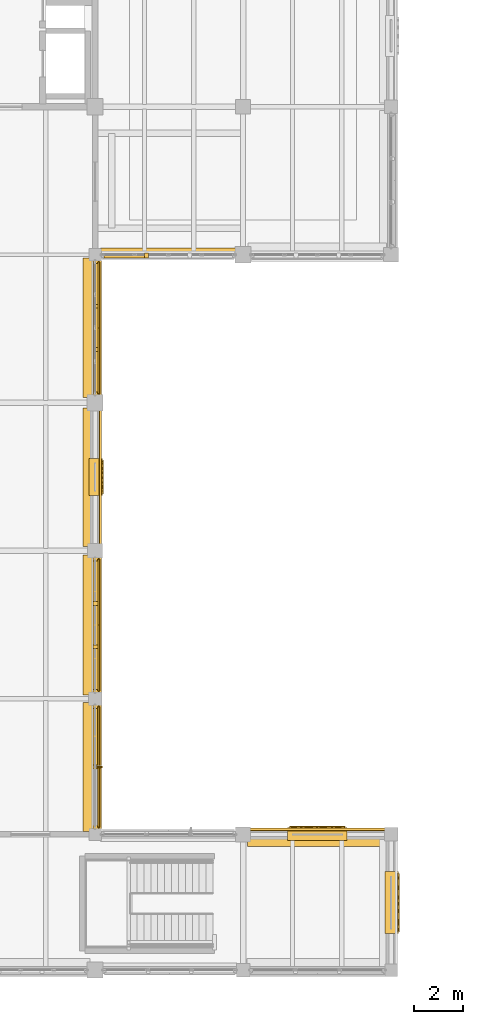
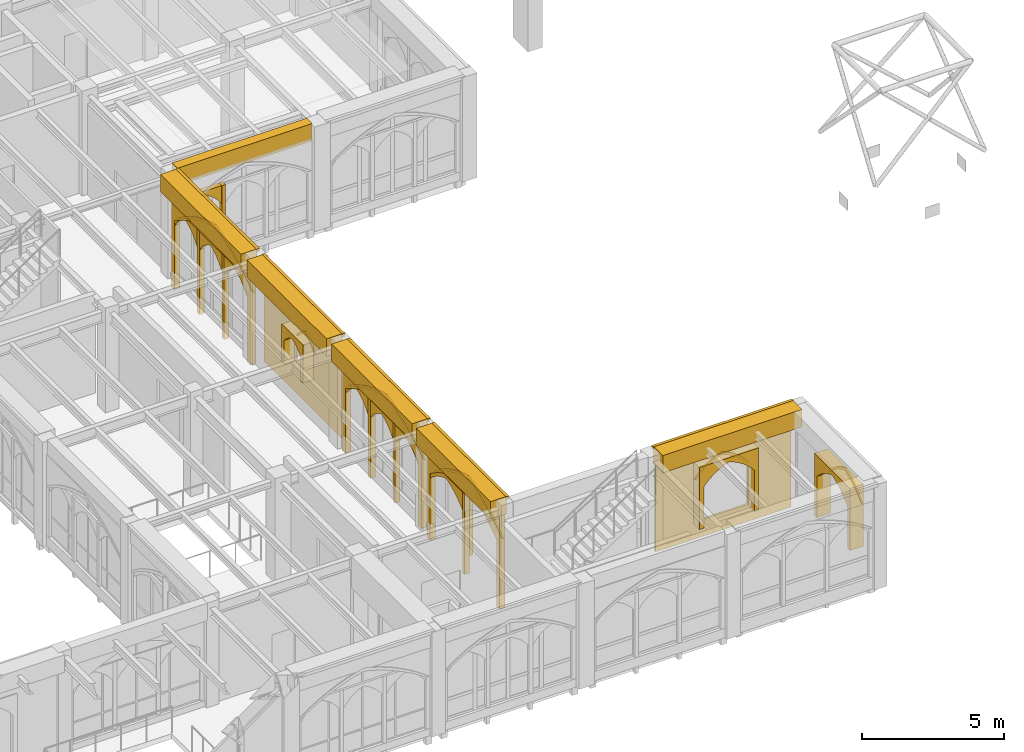
# One storey, part 108 of 127: 39 coverings, 1 shading device.
"""IFC4 building model written with IfcOpenShell, lengths in metres."""

from ifc_helpers import new_model, si_unit, direction, frame, origin, origin_2d, place, context, subcontext, project, spatial, polyline, rectangle, outline, extrude, material, type_object, element, save


model = new_model("IFC4")

# Units and contexts
model_context = context("Model", 3, precision=1e-05, world=origin(), true_north=direction((0.0, 1.0)))
body_context = subcontext(model_context, "Body", "Model", "MODEL_VIEW")
ifc_project = project(units=[si_unit("LENGTHUNIT", "METRE"), si_unit("AREAUNIT", "SQUARE_METRE"), si_unit("VOLUMEUNIT", "CUBIC_METRE"), si_unit("PLANEANGLEUNIT", "RADIAN"), si_unit("MASSUNIT", "GRAM", prefix="KILO")], contexts=[model_context])

# Site, building, storey
site_placement = place(None, origin())
site = spatial("IfcSite", under=ifc_project, at=site_placement, CompositionType="ELEMENT")
building_placement = place(site_placement, origin())
building = spatial("IfcBuilding", under=site, at=building_placement, Name="Cumevento Cable Car Station", CompositionType="ELEMENT")
storey_placement = place(building_placement, frame((0.0, 0.0, 4.5)))
storey = spatial("IfcBuildingStorey", under=building, at=storey_placement, Name="L02", CompositionType="ELEMENT", Elevation=4.5)

# Shading device
ifc_material_1 = material(Name="Anodised Bronze Aluminium AW-6063-T6", Category="aluminium")
shading_device_type = type_object("IfcShadingDeviceType", Name="Bronze Lancet Brise-Soleil BS-01", PredefinedType="JALOUSIE", material=ifc_material_1)
shading_device_placement = place(storey_placement, frame((70.179931640625, 12.237548828125, 0.41015625), z_axis=(0.0, 0.0, 1.0), x_axis=(0.0, -1.0, 0.0)))
element("IfcShadingDevice", 1, at=shading_device_placement, inside=storey, type_object=shading_device_type, Name="Bronze Lancet Solar Fin #24", PredefinedType="JALOUSIE", context=body_context, shape_type="SweptSolid", body=[
    extrude(rectangle(XDim=0.054931640625, YDim=0.239990234375, at=origin_2d()), origin(), (0.0, 0.0, 1.0), 3.423095703125),
])

# Coverings
ifc_material_2 = material(Name="Gnaisse Facoidal Stone Ashlar 85 MPa", Category="masonry")
covering_type = type_object("IfcCoveringType", Name="Gnaisse Ashlar Cladding CV-CL01", PredefinedType="CLADDING", material=ifc_material_2)
covering_1_placement = place(storey_placement, frame((79.012451171875, 9.35009765625, 3.796875), z_axis=(0.0, 0.0, 1.0), x_axis=(1.0, 0.0, 0.0)))
element("IfcCovering", 2, at=covering_1_placement, inside=storey, type_object=covering_type, Name="Gothic Stone Spandrel Stringcourse sc:0310", PredefinedType="CLADDING", context=body_context, shape_type="SweptSolid", body=[
    extrude(rectangle(XDim=5.6650390625, YDim=0.659912109375, at=origin_2d()), origin(), (0.0, 0.0, 1.0), 0.7470703125),
])
covering_2_placement = place(storey_placement, frame((79.012451171875, 9.70751953125, 4.4140625), z_axis=(0.0, 0.0, 1.0), x_axis=(1.0, 0.0, 0.0)))
element("IfcCovering", 3, at=covering_2_placement, inside=storey, type_object=covering_type, Name="Gothic Cornice Dripstone Lip sc:0310", PredefinedType="CLADDING", context=body_context, shape_type="SweptSolid", body=[
    extrude(rectangle(XDim=5.705078125, YDim=0.114990234375, at=origin_2d()), origin(), (0.0, 0.0, 1.0), 0.1298828125),
])
covering_3_placement = place(storey_placement, frame((69.85009765625, 12.237548828125, 3.77294921875), z_axis=(0.0, 0.0, 1.0), x_axis=(0.0, -1.0, 0.0)))
element("IfcCovering", 4, at=covering_3_placement, inside=storey, type_object=covering_type, Name="Gothic Stone Spandrel Stringcourse sc:0324", PredefinedType="CLADDING", context=body_context, shape_type="SweptSolid", body=[
    extrude(rectangle(XDim=5.215087890625, YDim=0.659912109375, at=origin_2d()), origin(), (0.0, 0.0, 1.0), 0.7470703125),
])
covering_4_placement = place(storey_placement, frame((70.20751953125, 12.237548828125, 4.39013671875), z_axis=(0.0, 0.0, 1.0), x_axis=(0.0, -1.0, 0.0)))
element("IfcCovering", 5, at=covering_4_placement, inside=storey, type_object=covering_type, Name="Gothic Cornice Dripstone Lip sc:0324", PredefinedType="CLADDING", context=body_context, shape_type="SweptSolid", body=[
    extrude(rectangle(XDim=5.2548828125, YDim=0.114990234375, at=origin_2d()), origin(), (0.0, 0.0, 1.0), 0.1298828125),
])
covering_5_placement = place(storey_placement, frame((69.85009765625, 17.987548828125, 3.77294921875), z_axis=(0.0, 0.0, 1.0), x_axis=(0.0, -1.0, 0.0)))
element("IfcCovering", 6, at=covering_5_placement, inside=storey, type_object=covering_type, Name="Gothic Stone Spandrel Stringcourse sc:0325", PredefinedType="CLADDING", context=body_context, shape_type="SweptSolid", body=[
    extrude(rectangle(XDim=5.6650390625, YDim=0.659912109375, at=origin_2d()), origin(), (0.0, 0.0, 1.0), 0.7470703125),
])
covering_6_placement = place(storey_placement, frame((70.20751953125, 17.987548828125, 4.39013671875), z_axis=(0.0, 0.0, 1.0), x_axis=(0.0, -1.0, 0.0)))
element("IfcCovering", 7, at=covering_6_placement, inside=storey, type_object=covering_type, Name="Gothic Cornice Dripstone Lip sc:0325", PredefinedType="CLADDING", context=body_context, shape_type="SweptSolid", body=[
    extrude(rectangle(XDim=5.705078125, YDim=0.114990234375, at=origin_2d()), origin(), (0.0, 0.0, 1.0), 0.1298828125),
])
covering_7_placement = place(storey_placement, frame((69.85009765625, 23.987548828125, 3.77294921875), z_axis=(0.0, 0.0, 1.0), x_axis=(0.0, -1.0, 0.0)))
element("IfcCovering", 8, at=covering_7_placement, inside=storey, type_object=covering_type, Name="Gothic Stone Spandrel Stringcourse sc:0326", PredefinedType="CLADDING", context=body_context, shape_type="SweptSolid", body=[
    extrude(rectangle(XDim=5.614990234375, YDim=0.659912109375, at=origin_2d()), origin(), (0.0, 0.0, 1.0), 0.7470703125),
])
covering_8_placement = place(storey_placement, frame((70.20751953125, 23.987548828125, 4.39013671875), z_axis=(0.0, 0.0, 1.0), x_axis=(0.0, -1.0, 0.0)))
element("IfcCovering", 9, at=covering_8_placement, inside=storey, type_object=covering_type, Name="Gothic Cornice Dripstone Lip sc:0326", PredefinedType="CLADDING", context=body_context, shape_type="SweptSolid", body=[
    extrude(rectangle(XDim=5.655029296875, YDim=0.114990234375, at=origin_2d()), origin(), (0.0, 0.0, 1.0), 0.1298828125),
])
covering_9_placement = place(storey_placement, frame((69.85009765625, 30.03759765625, 3.760986328125), z_axis=(0.0, 0.0, 1.0), x_axis=(0.0, -1.0, 0.0)))
element("IfcCovering", 10, at=covering_9_placement, inside=storey, type_object=covering_type, Name="Gothic Stone Spandrel Stringcourse sc:0327", PredefinedType="CLADDING", context=body_context, shape_type="SweptSolid", body=[
    extrude(rectangle(XDim=5.6650390625, YDim=0.659912109375, at=origin_2d()), origin(), (0.0, 0.0, 1.0), 0.7470703125),
])
covering_10_placement = place(storey_placement, frame((70.20751953125, 30.03759765625, 4.378173828125), z_axis=(0.0, 0.0, 1.0), x_axis=(0.0, -1.0, 0.0)))
element("IfcCovering", 11, at=covering_10_placement, inside=storey, type_object=covering_type, Name="Gothic Cornice Dripstone Lip sc:0327", PredefinedType="CLADDING", context=body_context, shape_type="SweptSolid", body=[
    extrude(rectangle(XDim=5.705078125, YDim=0.114990234375, at=origin_2d()), origin(), (0.0, 0.0, 1.0), 0.1298828125),
])
covering_11_placement = place(storey_placement, frame((72.96240234375, 33.090087890625, 3.760986328125), z_axis=(0.0, 0.0, 1.0), x_axis=(-1.0, 0.0, 0.0)))
element("IfcCovering", 12, at=covering_11_placement, inside=storey, type_object=covering_type, Name="Gothic Stone Spandrel Stringcourse sc:0330", PredefinedType="CLADDING", context=body_context, shape_type="SweptSolid", body=[
    extrude(rectangle(XDim=5.485107421875, YDim=0.3798828125, at=origin_2d()), origin(), (0.0, 0.0, 1.0), 0.7470703125),
])
placement_1 = place(storey_placement, frame((70.0, 14.72509765625, -0.27001953125), z_axis=(0.0, 0.0, 1.0), x_axis=(0.0, -1.0, 0.0)))
element("IfcCovering", 13, at=placement_1, inside=storey, type_object=covering_type, Name="Gothic Ogival Pointed-Arch Stone Spandrel cw_ogival:0037", PredefinedType="CLADDING", context=body_context, shape_type="SweptSolid", body=[
    extrude(outline(polyline([(-0.080078125, 0.0), (-0.080078125, 4.18310546875), (5.054931640625, 4.18310546875), (5.054931640625, 0.0), (4.81494140625, 0.0), (4.81494140625, 2.87060546875), (4.5517578125, 3.060546875), (4.279296875, 3.2373046875), (3.997802734375, 3.39892578125), (3.70849609375, 3.54638671875), (3.412109375, 3.678955078125), (3.109375, 3.796142578125), (2.80078125, 3.897705078125), (2.487548828125, 3.98291015625), (2.17431640625, 3.897705078125), (1.86572265625, 3.796142578125), (1.56298828125, 3.678955078125), (1.2666015625, 3.54638671875), (0.977294921875, 3.39892578125), (0.69580078125, 3.2373046875), (0.42333984375, 3.060546875), (0.159912109375, 2.87060546875), (0.159912109375, 0.0), (-0.080078125, 0.0)])), frame((0.0, 0.139892578125, 0.0), z_axis=(0.0, -1.0, 0.0), x_axis=(1.0, 0.0, 0.0)), (0.0, 0.0, 1.0), 0.219970703125),
])
covering_13_placement = place(storey_placement, frame((70.0, 14.72509765625, 2.6005859375), z_axis=(0.0, 0.0, 1.0), x_axis=(0.0, -1.0, 0.0)))
element("IfcCovering", 14, at=covering_13_placement, inside=storey, type_object=covering_type, Name="Gothic Pointed Archivolt Hood Moulding cw_ogival:0037", PredefinedType="CLADDING", context=body_context, shape_type="SweptSolid", body=[
    extrude(outline(polyline([(0.159912109375, 0.0), (0.42333984375, 0.18994140625), (0.69580078125, 0.366455078125), (0.977294921875, 0.5283203125), (1.2666015625, 0.67578125), (1.56298828125, 0.808349609375), (1.86572265625, 0.925537109375), (2.17431640625, 1.02685546875), (2.487548828125, 1.1123046875), (2.80078125, 1.02685546875), (3.109375, 0.925537109375), (3.412109375, 0.808349609375), (3.70849609375, 0.67578125), (3.997802734375, 0.5283203125), (4.279296875, 0.366455078125), (4.5517578125, 0.18994140625), (4.81494140625, 0.0), (4.925048828125, 0.0), (4.6533203125, 0.212890625), (4.37060546875, 0.410400390625), (4.077392578125, 0.592529296875), (3.774658203125, 0.75830078125), (3.46337890625, 0.9072265625), (3.14453125, 1.0390625), (2.81884765625, 1.1533203125), (2.487548828125, 1.249755859375), (2.15625, 1.1533203125), (1.83056640625, 1.0390625), (1.51171875, 0.9072265625), (1.200439453125, 0.75830078125), (0.897705078125, 0.592529296875), (0.6044921875, 0.410400390625), (0.32177734375, 0.212890625), (0.050048828125, 0.0), (0.159912109375, 0.0)])), frame((0.0, 0.181884765625, 0.0), z_axis=(0.0, -1.0, 0.0), x_axis=(1.0, 0.0, 0.0)), (0.0, 0.0, 1.0), 0.06689453125),
])
element("IfcCovering", 15, at=placement_1, inside=storey, type_object=covering_type, Name="Gothic Bifora Stone Colonnette cw_ogival:0037 #1", PredefinedType="CLADDING", context=body_context, shape_type="SweptSolid", body=[
    extrude(outline(polyline([(2.41259765625, -0.02001953125), (2.5625, -0.02001953125), (2.5625, 3.44921875), (2.41259765625, 3.44921875), (2.41259765625, -0.02001953125)])), frame((0.0, 0.1279296875, 0.0), z_axis=(0.0, -1.0, 0.0), x_axis=(1.0, 0.0, 0.0)), (0.0, 0.0, 1.0), 0.205078125),
])
covering_15_placement = place(storey_placement, frame((70.0, 14.594970703125, 2.420654296875), z_axis=(0.0, 0.0, 1.0), x_axis=(0.0, -1.0, 0.0)))
element("IfcCovering", 16, at=covering_15_placement, inside=storey, type_object=covering_type, Name="Gothic Ogival Pointed-Arch Stone Spandrel cw_ogival:0037:sub:0", PredefinedType="CLADDING", context=body_context, shape_type="SweptSolid", body=[
    extrude(outline(polyline([(-0.02001953125, 0.0), (-0.02001953125, 0.75830078125), (2.33251953125, 0.75830078125), (2.33251953125, 0.0), (2.2724609375, 0.0), (2.109619140625, 0.142333984375), (1.93603515625, 0.271484375), (1.752685546875, 0.38623046875), (1.560791015625, 0.486083984375), (1.361572265625, 0.5703125), (1.15625, 0.638427734375), (0.950927734375, 0.5703125), (0.751708984375, 0.486083984375), (0.559814453125, 0.38623046875), (0.37646484375, 0.271484375), (0.202880859375, 0.142333984375), (0.0400390625, 0.0), (-0.02001953125, 0.0)])), frame((0.0, 0.1240234375, 0.0), z_axis=(0.0, -1.0, 0.0), x_axis=(1.0, 0.0, 0.0)), (0.0, 0.0, 1.0), 0.199951171875),
])
placement_2 = place(storey_placement, frame((70.0, 20.699951171875, -0.159912109375), z_axis=(0.0, 0.0, 1.0), x_axis=(0.0, -1.0, 0.0)))
element("IfcCovering", 17, at=placement_2, inside=storey, type_object=covering_type, Name="Gothic Ogival Pointed-Arch Stone Spandrel cw_ogival:0039", PredefinedType="CLADDING", context=body_context, shape_type="SweptSolid", body=[
    extrude(outline(polyline([(-0.080078125, 0.0), (-0.080078125, 4.072998046875), (5.5048828125, 4.072998046875), (5.5048828125, 0.0), (5.264892578125, 0.0), (5.264892578125, 2.80029296875), (4.9697265625, 2.984619140625), (4.66650390625, 3.155029296875), (4.355712890625, 3.3115234375), (4.0380859375, 3.453857421875), (3.714111328125, 3.581298828125), (3.384765625, 3.693603515625), (3.05078125, 3.791015625), (2.71240234375, 3.873046875), (2.374267578125, 3.791015625), (2.040283203125, 3.693603515625), (1.7109375, 3.581298828125), (1.386962890625, 3.453857421875), (1.0693359375, 3.3115234375), (0.758544921875, 3.155029296875), (0.455322265625, 2.984619140625), (0.159912109375, 2.80029296875), (0.159912109375, 0.0), (-0.080078125, 0.0)])), frame((0.0, 0.139892578125, 0.0), z_axis=(0.0, -1.0, 0.0), x_axis=(1.0, 0.0, 0.0)), (0.0, 0.0, 1.0), 0.219970703125),
])
covering_17_placement = place(storey_placement, frame((70.0, 20.699951171875, 2.640380859375), z_axis=(0.0, 0.0, 1.0), x_axis=(0.0, -1.0, 0.0)))
element("IfcCovering", 18, at=covering_17_placement, inside=storey, type_object=covering_type, Name="Gothic Pointed Archivolt Hood Moulding cw_ogival:0039", PredefinedType="CLADDING", context=body_context, shape_type="SweptSolid", body=[
    extrude(outline(polyline([(0.159912109375, 0.0), (0.455322265625, 0.184326171875), (0.758544921875, 0.354736328125), (1.0693359375, 0.51123046875), (1.386962890625, 0.653564453125), (1.7109375, 0.781005859375), (2.040283203125, 0.893310546875), (2.374267578125, 0.99072265625), (2.71240234375, 1.07275390625), (3.05078125, 0.99072265625), (3.384765625, 0.893310546875), (3.714111328125, 0.781005859375), (4.0380859375, 0.653564453125), (4.355712890625, 0.51123046875), (4.66650390625, 0.354736328125), (4.9697265625, 0.184326171875), (5.264892578125, 0.0), (5.375, 0.0), (5.071044921875, 0.207275390625), (4.75732421875, 0.3994140625), (4.4345703125, 0.57568359375), (4.103271484375, 0.736083984375), (3.764892578125, 0.880126953125), (3.419677734375, 1.00732421875), (3.068603515625, 1.117431640625), (2.71240234375, 1.210205078125), (2.3564453125, 1.117431640625), (2.00537109375, 1.00732421875), (1.66015625, 0.880126953125), (1.32177734375, 0.736083984375), (0.990478515625, 0.57568359375), (0.667724609375, 0.3994140625), (0.35400390625, 0.207275390625), (0.050048828125, 0.0), (0.159912109375, 0.0)])), frame((0.0, 0.181884765625, 0.0), z_axis=(0.0, -1.0, 0.0), x_axis=(1.0, 0.0, 0.0)), (0.0, 0.0, 1.0), 0.06689453125),
])
element("IfcCovering", 19, at=placement_2, inside=storey, type_object=covering_type, Name="Gothic Bifora Stone Colonnette cw_ogival:0039 #1", PredefinedType="CLADDING", context=body_context, shape_type="SweptSolid", body=[
    extrude(outline(polyline([(1.76171875, -0.02001953125), (1.91162109375, -0.02001953125), (1.91162109375, 3.358154296875), (1.76171875, 3.358154296875), (1.76171875, -0.02001953125)])), frame((0.0, 0.1279296875, 0.0), z_axis=(0.0, -1.0, 0.0), x_axis=(1.0, 0.0, 0.0)), (0.0, 0.0, 1.0), 0.205078125),
])
element("IfcCovering", 20, at=placement_2, inside=storey, type_object=covering_type, Name="Gothic Bifora Stone Colonnette cw_ogival:0039 #2", PredefinedType="CLADDING", context=body_context, shape_type="SweptSolid", body=[
    extrude(outline(polyline([(3.513427734375, -0.02001953125), (3.663330078125, -0.02001953125), (3.663330078125, 3.358154296875), (3.513427734375, 3.358154296875), (3.513427734375, -0.02001953125)])), frame((0.0, 0.1279296875, 0.0), z_axis=(0.0, -1.0, 0.0), x_axis=(1.0, 0.0, 0.0)), (0.0, 0.0, 1.0), 0.205078125),
])
for number, where, z_axis, x_axis, name in (
    (21, (70.0, 20.570068359375, 2.460205078125), (0.0, 0.0, 1.0), (0.0, -1.0, 0.0), "Gothic Ogival Pointed-Arch Stone Spandrel cw_ogival:0039:sub:0"),
    (22, (70.0, 18.818359375, 2.460205078125), (0.0, 0.0, 1.0), (0.0, -1.0, 0.0), "Gothic Ogival Pointed-Arch Stone Spandrel cw_ogival:0039:sub:1"),
    (23, (70.0, 17.066650390625, 2.460205078125), (0.0, 0.0, 1.0), (0.0, -1.0, 0.0), "Gothic Ogival Pointed-Arch Stone Spandrel cw_ogival:0039:sub:2"),
):
    element("IfcCovering", number, at=place(storey_placement, frame(where, z_axis=z_axis, x_axis=x_axis)), inside=storey, type_object=covering_type, Name=name, PredefinedType="CLADDING", context=body_context, shape_type="SweptSolid", body=[
        extrude(outline(polyline([(-0.02001953125, 0.0), (-0.02001953125, 0.73779296875), (1.681640625, 0.73779296875), (1.681640625, 0.0), (1.62158203125, 0.0), (1.518310546875, 0.134765625), (1.402099609375, 0.258544921875), (1.273681640625, 0.36962890625), (1.134765625, 0.46728515625), (0.986572265625, 0.55029296875), (0.830810546875, 0.617919921875), (0.675048828125, 0.55029296875), (0.52685546875, 0.46728515625), (0.387939453125, 0.36962890625), (0.259521484375, 0.258544921875), (0.143310546875, 0.134765625), (0.0400390625, 0.0), (-0.02001953125, 0.0)])), frame((0.0, 0.1240234375, 0.0), z_axis=(0.0, -1.0, 0.0), x_axis=(1.0, 0.0, 0.0)), (0.0, 0.0, 1.0), 0.199951171875),
    ])
placement_3 = place(storey_placement, frame((70.0, 32.75, -0.419921875), z_axis=(0.0, 0.0, 1.0), x_axis=(0.0, -1.0, 0.0)))
element("IfcCovering", 24, at=placement_3, inside=storey, type_object=covering_type, Name="Gothic Ogival Pointed-Arch Stone Spandrel cw_ogival:0042", PredefinedType="CLADDING", context=body_context, shape_type="SweptSolid", body=[
    extrude(outline(polyline([(-0.080078125, 0.0), (-0.080078125, 4.321044921875), (5.5048828125, 4.321044921875), (5.5048828125, 0.0), (5.264892578125, 0.0), (5.264892578125, 2.958984375), (4.9736328125, 3.157958984375), (4.6728515625, 3.34228515625), (4.363525390625, 3.51171875), (4.046142578125, 3.665771484375), (3.721435546875, 3.803955078125), (3.390380859375, 3.92626953125), (3.053955078125, 4.031982421875), (2.71240234375, 4.12109375), (2.37109375, 4.031982421875), (2.03466796875, 3.92626953125), (1.70361328125, 3.803955078125), (1.37890625, 3.665771484375), (1.0615234375, 3.51171875), (0.752197265625, 3.34228515625), (0.451416015625, 3.157958984375), (0.159912109375, 2.958984375), (0.159912109375, 0.0), (-0.080078125, 0.0)])), frame((0.0, 0.139892578125, 0.0), z_axis=(0.0, -1.0, 0.0), x_axis=(1.0, 0.0, 0.0)), (0.0, 0.0, 1.0), 0.219970703125),
])
covering_21_placement = place(storey_placement, frame((70.0, 32.75, 2.5390625), z_axis=(0.0, 0.0, 1.0), x_axis=(0.0, -1.0, 0.0)))
element("IfcCovering", 25, at=covering_21_placement, inside=storey, type_object=covering_type, Name="Gothic Pointed Archivolt Hood Moulding cw_ogival:0042", PredefinedType="CLADDING", context=body_context, shape_type="SweptSolid", body=[
    extrude(outline(polyline([(0.159912109375, 0.0), (0.451416015625, 0.198974609375), (0.752197265625, 0.38330078125), (1.0615234375, 0.552734375), (1.37890625, 0.706787109375), (1.70361328125, 0.844970703125), (2.03466796875, 0.96728515625), (2.37109375, 1.072998046875), (2.71240234375, 1.162109375), (3.053955078125, 1.072998046875), (3.390380859375, 0.96728515625), (3.721435546875, 0.844970703125), (4.046142578125, 0.706787109375), (4.363525390625, 0.552734375), (4.6728515625, 0.38330078125), (4.9736328125, 0.198974609375), (5.264892578125, 0.0), (5.375, 0.0), (5.0751953125, 0.221923828125), (4.76416015625, 0.427734375), (4.442626953125, 0.616943359375), (4.11181640625, 0.789306640625), (3.7724609375, 0.944091796875), (3.425537109375, 1.0810546875), (3.072021484375, 1.199462890625), (2.71240234375, 1.299560546875), (2.35302734375, 1.199462890625), (1.99951171875, 1.0810546875), (1.652587890625, 0.944091796875), (1.313232421875, 0.789306640625), (0.982421875, 0.616943359375), (0.660888671875, 0.427734375), (0.349853515625, 0.221923828125), (0.050048828125, 0.0), (0.159912109375, 0.0)])), frame((0.0, 0.181884765625, 0.0), z_axis=(0.0, -1.0, 0.0), x_axis=(1.0, 0.0, 0.0)), (0.0, 0.0, 1.0), 0.06689453125),
])
element("IfcCovering", 26, at=placement_3, inside=storey, type_object=covering_type, Name="Gothic Bifora Stone Colonnette cw_ogival:0042 #1", PredefinedType="CLADDING", context=body_context, shape_type="SweptSolid", body=[
    extrude(outline(polyline([(1.76171875, -0.02001953125), (1.91162109375, -0.02001953125), (1.91162109375, 3.563232421875), (1.76171875, 3.563232421875), (1.76171875, -0.02001953125)])), frame((0.0, 0.1279296875, 0.0), z_axis=(0.0, -1.0, 0.0), x_axis=(1.0, 0.0, 0.0)), (0.0, 0.0, 1.0), 0.205078125),
])
element("IfcCovering", 27, at=placement_3, inside=storey, type_object=covering_type, Name="Gothic Bifora Stone Colonnette cw_ogival:0042 #2", PredefinedType="CLADDING", context=body_context, shape_type="SweptSolid", body=[
    extrude(outline(polyline([(3.513427734375, -0.02001953125), (3.663330078125, -0.02001953125), (3.663330078125, 3.563232421875), (3.513427734375, 3.563232421875), (3.513427734375, -0.02001953125)])), frame((0.0, 0.1279296875, 0.0), z_axis=(0.0, -1.0, 0.0), x_axis=(1.0, 0.0, 0.0)), (0.0, 0.0, 1.0), 0.205078125),
])
for number, where, z_axis, x_axis, name in (
    (28, (70.0, 32.6201171875, 2.35888671875), (0.0, 0.0, 1.0), (0.0, -1.0, 0.0), "Gothic Ogival Pointed-Arch Stone Spandrel cw_ogival:0042:sub:0"),
    (29, (70.0, 30.868408203125, 2.35888671875), (0.0, 0.0, 1.0), (0.0, -1.0, 0.0), "Gothic Ogival Pointed-Arch Stone Spandrel cw_ogival:0042:sub:1"),
    (30, (70.0, 29.11669921875, 2.35888671875), (0.0, 0.0, 1.0), (0.0, -1.0, 0.0), "Gothic Ogival Pointed-Arch Stone Spandrel cw_ogival:0042:sub:2"),
):
    element("IfcCovering", number, at=place(storey_placement, frame(where, z_axis=z_axis, x_axis=x_axis)), inside=storey, type_object=covering_type, Name=name, PredefinedType="CLADDING", context=body_context, shape_type="SweptSolid", body=[
        extrude(outline(polyline([(-0.02001953125, 0.0), (-0.02001953125, 0.7841796875), (1.681640625, 0.7841796875), (1.681640625, 0.0), (1.62158203125, 0.0), (1.522216796875, 0.14404296875), (1.407958984375, 0.276611328125), (1.280029296875, 0.396240234375), (1.14013671875, 0.50146484375), (0.98974609375, 0.591064453125), (0.830810546875, 0.664306640625), (0.671875, 0.591064453125), (0.521484375, 0.50146484375), (0.381591796875, 0.396240234375), (0.253662109375, 0.276611328125), (0.139404296875, 0.14404296875), (0.0400390625, 0.0), (-0.02001953125, 0.0)])), frame((0.0, 0.1240234375, 0.0), z_axis=(0.0, -1.0, 0.0), x_axis=(1.0, 0.0, 0.0)), (0.0, 0.0, 1.0), 0.199951171875),
    ])
covering_24_placement = place(storey_placement, frame((75.675048828125, 33.0, -0.3701171875), z_axis=(0.0, 0.0, 1.0), x_axis=(-1.0, 0.0, 0.0)))
element("IfcCovering", 31, at=covering_24_placement, inside=storey, type_object=covering_type, Name="Gothic Bifora Stone Colonnette cw_ogival:0043 #2", PredefinedType="CLADDING", context=body_context, shape_type="SweptSolid", body=[
    extrude(outline(polyline([(3.513427734375, -0.02001953125), (3.663330078125, -0.02001953125), (3.663330078125, 3.52197265625), (3.513427734375, 3.52197265625), (3.513427734375, -0.02001953125)])), frame((0.0, 0.1279296875, 0.0), z_axis=(0.0, -1.0, 0.0), x_axis=(1.0, 0.0, 0.0)), (0.0, 0.0, 1.0), 0.205078125),
])
covering_25_placement = place(storey_placement, frame((72.041748046875, 33.0, 2.376953125), z_axis=(0.0, 0.0, 1.0), x_axis=(-1.0, 0.0, 0.0)))
element("IfcCovering", 32, at=covering_25_placement, inside=storey, type_object=covering_type, Name="Gothic Ogival Pointed-Arch Stone Spandrel cw_ogival:0043:sub:2", PredefinedType="CLADDING", context=body_context, shape_type="SweptSolid", body=[
    extrude(outline(polyline([(-0.02001953125, 0.0), (-0.02001953125, 0.77490234375), (1.681640625, 0.77490234375), (1.681640625, 0.0), (1.62158203125, 0.0), (1.521484375, 0.14208984375), (1.40673828125, 0.27294921875), (1.27880859375, 0.390869140625), (1.13916015625, 0.49462890625), (0.9892578125, 0.5830078125), (0.830810546875, 0.65478515625), (0.67236328125, 0.5830078125), (0.5224609375, 0.49462890625), (0.3828125, 0.390869140625), (0.2548828125, 0.27294921875), (0.14013671875, 0.14208984375), (0.0400390625, 0.0), (-0.02001953125, 0.0)])), frame((0.0, 0.1240234375, 0.0), z_axis=(0.0, -1.0, 0.0), x_axis=(1.0, 0.0, 0.0)), (0.0, 0.0, 1.0), 0.199951171875),
])
covering_26_placement = place(storey_placement, frame((76.300048828125, 9.5, 0.0), z_axis=(0.0, 0.0, 1.0), x_axis=(1.0, 0.0, 0.0)))
element("IfcCovering", 33, at=covering_26_placement, inside=storey, type_object=covering_type, Name="Exterior Gnaisse Stone Wall Ashlar #179", PredefinedType="CLADDING", context=body_context, shape_type="SweptSolid", body=[
    extrude(outline(polyline([(-0.0400390625, -0.02001953125), (5.465087890625, -0.02001953125), (5.465087890625, 3.876953125), (-0.0400390625, 3.876953125), (-0.0400390625, -0.02001953125)]), holes=[polyline([(1.697509765625, 0.7099609375), (3.7275390625, 0.7099609375), (3.7275390625, 3.090087890625), (1.697509765625, 3.090087890625), (1.697509765625, 0.7099609375)])]), frame((0.0, 0.25244140625, 0.0), z_axis=(0.0, -1.0, 0.0), x_axis=(1.0, 0.0, 0.0)), (0.0, 0.0, 1.0), 0.0849609375),
])
covering_27_placement = place(storey_placement, frame((77.847412109375, 9.5, 0.64990234375), z_axis=(0.0, 0.0, 1.0), x_axis=(1.0, 0.0, 0.0)))
element("IfcCovering", 34, at=covering_27_placement, inside=storey, type_object=covering_type, Name="Gothic Ogival Pointed-Arch Stone Spandrel op_ogival:0179:1", PredefinedType="CLADDING", context=body_context, shape_type="SweptSolid", body=[
    extrude(outline(polyline([(-0.0400390625, 0.0), (-0.0400390625, 2.669921875), (2.3701171875, 2.669921875), (2.3701171875, 0.0), (2.18994140625, 0.0), (2.18994140625, 1.778076171875), (2.0703125, 1.913330078125), (1.9404296875, 2.03857421875), (1.80078125, 2.153076171875), (1.65234375, 2.256103515625), (1.496337890625, 2.3466796875), (1.33349609375, 2.425048828125), (1.1650390625, 2.489990234375), (0.99658203125, 2.425048828125), (0.833740234375, 2.3466796875), (0.677734375, 2.256103515625), (0.529296875, 2.153076171875), (0.3896484375, 2.03857421875), (0.259765625, 1.913330078125), (0.139892578125, 1.778076171875), (0.139892578125, 0.0), (-0.0400390625, 0.0)])), frame((0.0, 0.29052734375, 0.0), z_axis=(0.0, -1.0, 0.0), x_axis=(1.0, 0.0, 0.0)), (0.0, 0.0, 1.0), 0.534912109375),
])
covering_28_placement = place(storey_placement, frame((77.847412109375, 9.5, 2.427978515625), z_axis=(0.0, 0.0, 1.0), x_axis=(1.0, 0.0, 0.0)))
element("IfcCovering", 35, at=covering_28_placement, inside=storey, type_object=covering_type, Name="Gothic Pointed Archivolt Hood Moulding op_ogival:0179:1", PredefinedType="CLADDING", context=body_context, shape_type="SweptSolid", body=[
    extrude(outline(polyline([(0.139892578125, 0.0), (0.259765625, 0.13525390625), (0.3896484375, 0.260498046875), (0.529296875, 0.375), (0.677734375, 0.47802734375), (0.833740234375, 0.56884765625), (0.99658203125, 0.64697265625), (1.1650390625, 0.7119140625), (1.33349609375, 0.64697265625), (1.496337890625, 0.56884765625), (1.65234375, 0.47802734375), (1.80078125, 0.375), (1.9404296875, 0.260498046875), (2.0703125, 0.13525390625), (2.18994140625, 0.0), (2.2890625, 0.0), (2.16162109375, 0.157958984375), (2.021240234375, 0.304443359375), (1.869140625, 0.43896484375), (1.706298828125, 0.56005859375), (1.533935546875, 0.6669921875), (1.35302734375, 0.759033203125), (1.1650390625, 0.835693359375), (0.97705078125, 0.759033203125), (0.796142578125, 0.6669921875), (0.623779296875, 0.56005859375), (0.4609375, 0.43896484375), (0.308837890625, 0.304443359375), (0.16845703125, 0.157958984375), (0.041015625, 0.0), (0.139892578125, 0.0)])), frame((0.0, 0.33251953125, 0.0), z_axis=(0.0, -1.0, 0.0), x_axis=(1.0, 0.0, 0.0)), (0.0, 0.0, 1.0), 0.06689453125),
])
covering_29_placement = place(storey_placement, frame((82.0, 7.952392578125, 0.64990234375), z_axis=(0.0, 0.0, 1.0), x_axis=(0.0, -1.0, 0.0)))
element("IfcCovering", 36, at=covering_29_placement, inside=storey, type_object=covering_type, Name="Gothic Ogival Pointed-Arch Stone Spandrel op_ogival:0180:1", PredefinedType="CLADDING", context=body_context, shape_type="SweptSolid", body=[
    extrude(outline(polyline([(-0.0400390625, 0.0), (-0.0400390625, 2.669921875), (2.469970703125, 2.669921875), (2.469970703125, 0.0), (2.2900390625, 0.0), (2.2900390625, 1.778076171875), (2.162109375, 1.913818359375), (2.0244140625, 2.039306640625), (1.87744140625, 2.15380859375), (1.721923828125, 2.2568359375), (1.55908203125, 2.347412109375), (1.3896484375, 2.42529296875), (1.215087890625, 2.489990234375), (1.040283203125, 2.42529296875), (0.870849609375, 2.347412109375), (0.7080078125, 2.2568359375), (0.552490234375, 2.15380859375), (0.405517578125, 2.039306640625), (0.267822265625, 1.913818359375), (0.139892578125, 1.778076171875), (0.139892578125, 0.0), (-0.0400390625, 0.0)])), frame((0.0, 0.298095703125, 0.0), z_axis=(0.0, -1.0, 0.0), x_axis=(1.0, 0.0, 0.0)), (0.0, 0.0, 1.0), 0.550048828125),
])
covering_30_placement = place(storey_placement, frame((82.0, 7.952392578125, 2.427978515625), z_axis=(0.0, 0.0, 1.0), x_axis=(0.0, -1.0, 0.0)))
element("IfcCovering", 37, at=covering_30_placement, inside=storey, type_object=covering_type, Name="Gothic Pointed Archivolt Hood Moulding op_ogival:0180:1", PredefinedType="CLADDING", context=body_context, shape_type="SweptSolid", body=[
    extrude(outline(polyline([(0.139892578125, 0.0), (0.267822265625, 0.1357421875), (0.405517578125, 0.26123046875), (0.552490234375, 0.375732421875), (0.7080078125, 0.478759765625), (0.870849609375, 0.5693359375), (1.040283203125, 0.647216796875), (1.215087890625, 0.7119140625), (1.3896484375, 0.647216796875), (1.55908203125, 0.5693359375), (1.721923828125, 0.478759765625), (1.87744140625, 0.375732421875), (2.0244140625, 0.26123046875), (2.162109375, 0.1357421875), (2.2900390625, 0.0), (2.388916015625, 0.0), (2.253173828125, 0.158447265625), (2.105224609375, 0.305419921875), (1.945556640625, 0.439697265625), (1.775634765625, 0.560791015625), (1.596435546875, 0.66748046875), (1.4091796875, 0.75927734375), (1.215087890625, 0.835693359375), (1.020751953125, 0.75927734375), (0.83349609375, 0.66748046875), (0.654296875, 0.560791015625), (0.484375, 0.439697265625), (0.32470703125, 0.305419921875), (0.1767578125, 0.158447265625), (0.041015625, 0.0), (0.139892578125, 0.0)])), frame((0.0, 0.340087890625, 0.0), z_axis=(0.0, -1.0, 0.0), x_axis=(1.0, 0.0, 0.0)), (0.0, 0.0, 1.0), 0.06689453125),
])
covering_31_placement = place(storey_placement, frame((70.0, 26.675048828125, 0.0), z_axis=(0.0, 0.0, 1.0), x_axis=(0.0, -1.0, 0.0)))
element("IfcCovering", 38, at=covering_31_placement, inside=storey, type_object=covering_type, Name="Exterior Gnaisse Stone Wall Ashlar #184", PredefinedType="CLADDING", context=body_context, shape_type="SweptSolid", body=[
    extrude(outline(polyline([(-0.0400390625, -0.02001953125), (5.4150390625, -0.02001953125), (5.4150390625, 3.85302734375), (-0.0400390625, 3.85302734375), (-0.0400390625, -0.02001953125)]), holes=[polyline([(2.12255859375, 1.360107421875), (3.25244140625, 1.360107421875), (3.25244140625, 2.68994140625), (2.12255859375, 2.68994140625), (2.12255859375, 1.360107421875)])]), frame((0.0, 0.260009765625, 0.0), z_axis=(0.0, -1.0, 0.0), x_axis=(1.0, 0.0, 0.0)), (0.0, 0.0, 1.0), 0.0849609375),
])
covering_32_placement = place(storey_placement, frame((70.0, 24.702392578125, 1.300048828125), z_axis=(0.0, 0.0, 1.0), x_axis=(0.0, -1.0, 0.0)))
element("IfcCovering", 39, at=covering_32_placement, inside=storey, type_object=covering_type, Name="Gothic Ogival Pointed-Arch Stone Spandrel op_ogival:0184:1", PredefinedType="CLADDING", context=body_context, shape_type="SweptSolid", body=[
    extrude(outline(polyline([(-0.0400390625, 0.0), (-0.0400390625, 1.6201171875), (1.469970703125, 1.6201171875), (1.469970703125, 0.0), (1.2900390625, 0.0), (1.2900390625, 1.02197265625), (1.22412109375, 1.10107421875), (1.15185546875, 1.174560546875), (1.073974609375, 1.24169921875), (0.990478515625, 1.30224609375), (0.902587890625, 1.355712890625), (0.810546875, 1.401611328125), (0.715087890625, 1.43994140625), (0.619384765625, 1.401611328125), (0.52734375, 1.355712890625), (0.439453125, 1.30224609375), (0.35595703125, 1.24169921875), (0.278076171875, 1.174560546875), (0.205810546875, 1.10107421875), (0.139892578125, 1.02197265625), (0.139892578125, 0.0), (-0.0400390625, 0.0)])), frame((0.0, 0.298095703125, 0.0), z_axis=(0.0, -1.0, 0.0), x_axis=(1.0, 0.0, 0.0)), (0.0, 0.0, 1.0), 0.550048828125),
])
covering_33_placement = place(storey_placement, frame((70.0, 24.702392578125, 2.322021484375), z_axis=(0.0, 0.0, 1.0), x_axis=(0.0, -1.0, 0.0)))
element("IfcCovering", 40, at=covering_33_placement, inside=storey, type_object=covering_type, Name="Gothic Pointed Archivolt Hood Moulding op_ogival:0184:1", PredefinedType="CLADDING", context=body_context, shape_type="SweptSolid", body=[
    extrude(outline(polyline([(0.139892578125, 0.0), (0.205810546875, 0.0791015625), (0.278076171875, 0.152587890625), (0.35595703125, 0.2197265625), (0.439453125, 0.2802734375), (0.52734375, 0.333740234375), (0.619384765625, 0.379638671875), (0.715087890625, 0.41796875), (0.810546875, 0.379638671875), (0.902587890625, 0.333740234375), (0.990478515625, 0.2802734375), (1.073974609375, 0.2197265625), (1.15185546875, 0.152587890625), (1.22412109375, 0.0791015625), (1.2900390625, 0.0), (1.388916015625, 0.0), (1.3154296875, 0.1015625), (1.23291015625, 0.1962890625), (1.142578125, 0.283447265625), (1.044677734375, 0.362060546875), (0.940185546875, 0.431640625), (0.830078125, 0.49169921875), (0.715087890625, 0.541748046875), (0.599853515625, 0.49169921875), (0.48974609375, 0.431640625), (0.38525390625, 0.362060546875), (0.287353515625, 0.283447265625), (0.197021484375, 0.1962890625), (0.114501953125, 0.1015625), (0.041015625, 0.0), (0.139892578125, 0.0)])), frame((0.0, 0.340087890625, 0.0), z_axis=(0.0, -1.0, 0.0), x_axis=(1.0, 0.0, 0.0)), (0.0, 0.0, 1.0), 0.06689453125),
])

save(model, "model.ifc")
